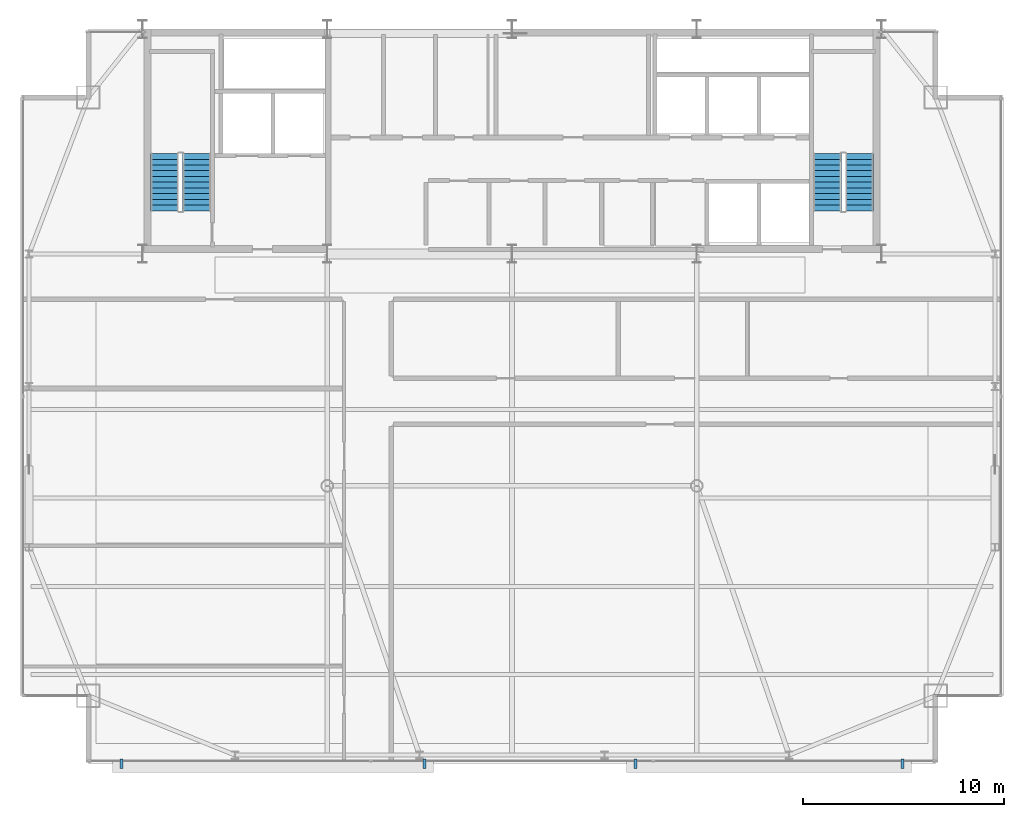
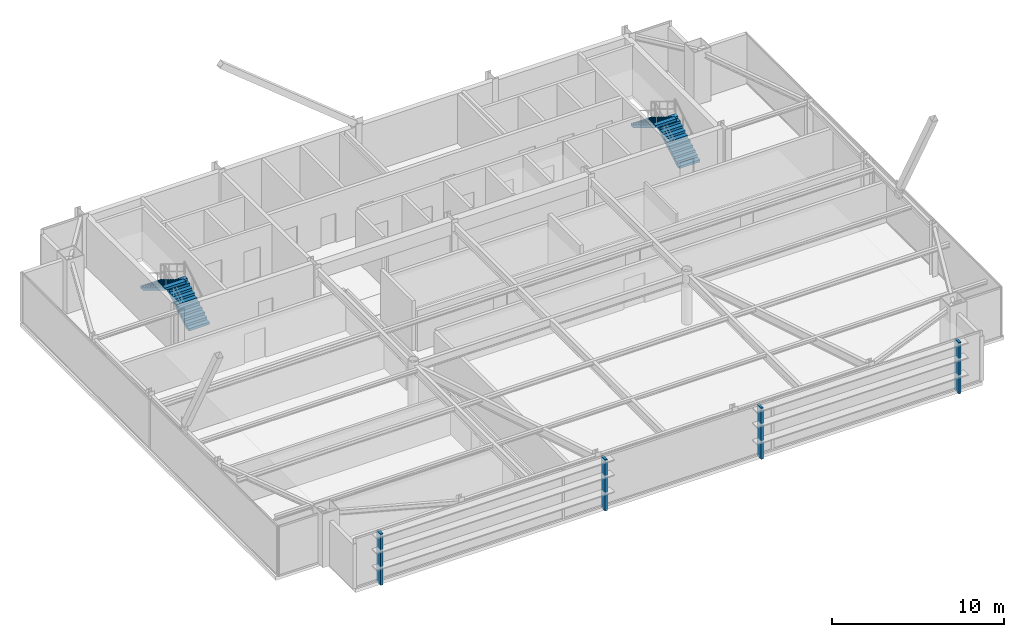
# One storey, part 25 of 26: 4 discrete accessories, 4 stair flights, 2 elements without a shape of their own.
"""IFC4 building model written with IfcOpenShell, lengths in metres."""

from ifc_helpers import new_model, si_unit, direction, frame, origin, origin_2d, place, context, subcontext, project, spatial, polyline, rectangle, outline, extrude, source, transform, mapped, material, layer, layer_set, type_object, type_shapes, element, aggregate, save


model = new_model("IFC4")

# Units and contexts
model_context = context("Model", 3, precision=1e-05, world=origin(), true_north=direction((0.0, 1.0)))
body_context = subcontext(model_context, "Body", "Model", "MODEL_VIEW")
ifc_project = project(units=[si_unit("LENGTHUNIT", "METRE"), si_unit("AREAUNIT", "SQUARE_METRE"), si_unit("VOLUMEUNIT", "CUBIC_METRE"), si_unit("PLANEANGLEUNIT", "RADIAN"), si_unit("MASSUNIT", "GRAM", prefix="KILO")], contexts=[model_context])

# Site, building, storey
site_placement = place(None, origin())
site = spatial("IfcSite", under=ifc_project, at=site_placement, CompositionType="ELEMENT")
building_placement = place(site_placement, origin())
building = spatial("IfcBuilding", under=site, at=building_placement, Name="Varnel Quay Broadcast Tower", CompositionType="ELEMENT")
storey_placement = place(building_placement, frame((0.0, 0.0, 218.800048828125)))
storey = spatial("IfcBuildingStorey", under=building, at=storey_placement, Name="L54", CompositionType="ELEMENT", Elevation=218.800048828125)

# Stair, stair flights
ifc_material_1 = material(Name="Precast Structural Concrete C40/50", Category="concrete")
stair_type_1 = type_object("IfcStairType", Name="Stair_ST-01", PredefinedType="HALF_TURN_STAIR", material=ifc_material_1)
stair_1_placement = place(storey_placement, origin())
stair_1 = element("IfcStair", 1, at=stair_1_placement, inside=storey, type_object=stair_type_1, Name="L54 West Core Exit Stair 1", PredefinedType="HALF_TURN_STAIR")
stair_flight_type_1 = type_object("IfcStairFlightType", Name="Flight_ST-01", PredefinedType="STRAIGHT", material=ifc_material_1)
stair_flight_1_placement = place(storey_placement, frame((18.300048828125, 37.75, 0.0), z_axis=(0.0, 0.0, 1.0), x_axis=(0.0, 1.0, 0.0)))
stair_flight_1 = element("IfcStairFlight", 2, at=stair_flight_1_placement, type_object=stair_flight_type_1, Name="ST-01 flight 1", NumberOfRisers=11, NumberOfTreads=10, PredefinedType="STRAIGHT", RiserHeight=0.172727273, TreadLength=0.285, context=body_context, shape_type="SweptSolid", body=[
    extrude(outline(polyline([(0.0, 0.0), (0.0, 0.172607421875), (0.284912109375, 0.172607421875), (0.284912109375, 0.345458984375), (0.570068359375, 0.345458984375), (0.570068359375, 0.51806640625), (0.85498046875, 0.51806640625), (0.85498046875, 0.69091796875), (1.139892578125, 0.69091796875), (1.139892578125, 0.863525390625), (1.425048828125, 0.863525390625), (1.425048828125, 1.036376953125), (1.7099609375, 1.036376953125), (1.7099609375, 1.208984375), (1.9951171875, 1.208984375), (1.9951171875, 1.3818359375), (2.280029296875, 1.3818359375), (2.280029296875, 1.554443359375), (2.56494140625, 1.554443359375), (2.56494140625, 1.727294921875), (2.85009765625, 1.727294921875), (2.85009765625, 1.89990234375), (2.85009765625, 1.552001953125), (0.289306640625, 0.0), (0.0, 0.0)])), frame((0.0, 0.699951171875, 0.0), z_axis=(0.0, -1.0, 0.0), x_axis=(1.0, 0.0, 0.0)), (0.0, 0.0, 1.0), 1.39990234375),
])
stair_flight_2_placement = place(storey_placement, frame((16.699951171875, 40.60009765625, 1.89990234375), z_axis=(0.0, 0.0, 1.0), x_axis=(0.0, -1.0, 0.0)))
stair_flight_2 = element("IfcStairFlight", 3, at=stair_flight_2_placement, type_object=stair_flight_type_1, Name="ST-01 flight 2", NumberOfRisers=11, NumberOfTreads=10, PredefinedType="STRAIGHT", RiserHeight=0.172727273, TreadLength=0.285, context=body_context, shape_type="SweptSolid", body=[
    extrude(outline(polyline([(0.0, 0.0), (0.0, 0.172607421875), (0.284912109375, 0.172607421875), (0.284912109375, 0.345458984375), (0.570068359375, 0.345458984375), (0.570068359375, 0.51806640625), (0.85498046875, 0.51806640625), (0.85498046875, 0.69091796875), (1.139892578125, 0.69091796875), (1.139892578125, 0.863525390625), (1.425048828125, 0.863525390625), (1.425048828125, 1.036376953125), (1.7099609375, 1.036376953125), (1.7099609375, 1.208984375), (1.9951171875, 1.208984375), (1.9951171875, 1.3818359375), (2.280029296875, 1.3818359375), (2.280029296875, 1.554443359375), (2.56494140625, 1.554443359375), (2.56494140625, 1.727294921875), (2.85009765625, 1.727294921875), (2.85009765625, 1.89990234375), (2.85009765625, 1.552001953125), (0.289306640625, 0.0), (0.0, 0.0)])), frame((0.0, 0.699951171875, 0.0), z_axis=(0.0, -1.0, 0.0), x_axis=(1.0, 0.0, 0.0)), (0.0, 0.0, 1.0), 1.39990234375),
])
aggregate(stair_1, [stair_flight_1, stair_flight_2])

stair_type_2 = type_object("IfcStairType", Name="Stair_ST-02", PredefinedType="HALF_TURN_STAIR", material=ifc_material_1)
stair_2_placement = place(storey_placement, origin())
stair_2 = element("IfcStair", 4, at=stair_2_placement, inside=storey, type_object=stair_type_2, Name="L54 East Core Exit Stair 2", PredefinedType="HALF_TURN_STAIR")
stair_flight_type_2 = type_object("IfcStairFlightType", Name="Flight_ST-02", PredefinedType="STRAIGHT", material=ifc_material_1)
stair_flight_3_placement = place(storey_placement, frame((51.300048828125, 37.75, 0.0), z_axis=(0.0, 0.0, 1.0), x_axis=(0.0, 1.0, 0.0)))
stair_flight_3 = element("IfcStairFlight", 5, at=stair_flight_3_placement, type_object=stair_flight_type_2, Name="ST-02 flight 1", NumberOfRisers=11, NumberOfTreads=10, PredefinedType="STRAIGHT", RiserHeight=0.172727273, TreadLength=0.285, context=body_context, shape_type="SweptSolid", body=[
    extrude(outline(polyline([(0.0, 0.0), (0.0, 0.172607421875), (0.284912109375, 0.172607421875), (0.284912109375, 0.345458984375), (0.570068359375, 0.345458984375), (0.570068359375, 0.51806640625), (0.85498046875, 0.51806640625), (0.85498046875, 0.69091796875), (1.139892578125, 0.69091796875), (1.139892578125, 0.863525390625), (1.425048828125, 0.863525390625), (1.425048828125, 1.036376953125), (1.7099609375, 1.036376953125), (1.7099609375, 1.208984375), (1.9951171875, 1.208984375), (1.9951171875, 1.3818359375), (2.280029296875, 1.3818359375), (2.280029296875, 1.554443359375), (2.56494140625, 1.554443359375), (2.56494140625, 1.727294921875), (2.85009765625, 1.727294921875), (2.85009765625, 1.89990234375), (2.85009765625, 1.552001953125), (0.289306640625, 0.0), (0.0, 0.0)])), frame((0.0, 0.699951171875, 0.0), z_axis=(0.0, -1.0, 0.0), x_axis=(1.0, 0.0, 0.0)), (0.0, 0.0, 1.0), 1.39990234375),
])
stair_flight_4_placement = place(storey_placement, frame((49.699951171875, 40.60009765625, 1.89990234375), z_axis=(0.0, 0.0, 1.0), x_axis=(0.0, -1.0, 0.0)))
stair_flight_4 = element("IfcStairFlight", 6, at=stair_flight_4_placement, type_object=stair_flight_type_2, Name="ST-02 flight 2", NumberOfRisers=11, NumberOfTreads=10, PredefinedType="STRAIGHT", RiserHeight=0.172727273, TreadLength=0.285, context=body_context, shape_type="SweptSolid", body=[
    extrude(outline(polyline([(0.0, 0.0), (0.0, 0.172607421875), (0.284912109375, 0.172607421875), (0.284912109375, 0.345458984375), (0.570068359375, 0.345458984375), (0.570068359375, 0.51806640625), (0.85498046875, 0.51806640625), (0.85498046875, 0.69091796875), (1.139892578125, 0.69091796875), (1.139892578125, 0.863525390625), (1.425048828125, 0.863525390625), (1.425048828125, 1.036376953125), (1.7099609375, 1.036376953125), (1.7099609375, 1.208984375), (1.9951171875, 1.208984375), (1.9951171875, 1.3818359375), (2.280029296875, 1.3818359375), (2.280029296875, 1.554443359375), (2.56494140625, 1.554443359375), (2.56494140625, 1.727294921875), (2.85009765625, 1.727294921875), (2.85009765625, 1.89990234375), (2.85009765625, 1.552001953125), (0.289306640625, 0.0), (0.0, 0.0)])), frame((0.0, 0.699951171875, 0.0), z_axis=(0.0, -1.0, 0.0), x_axis=(1.0, 0.0, 0.0)), (0.0, 0.0, 1.0), 1.39990234375),
])
aggregate(stair_2, [stair_flight_3, stair_flight_4])

# Discrete accessories
ifc_material_2 = material(Name="Anodised Bronze Aluminium 6063-T6", Category="aluminium")
ifc_layer = layer(ifc_material_2, 0.47998046875, Name="Anodised Bronze Aluminium 6063-T6")
ifc_layer_set = layer_set([ifc_layer], Name="Anodised Bronze Aluminium 6063-T6")
discrete_accessory_type = type_object("IfcDiscreteAccessoryType", Name="Acc_FacadeBracket", PredefinedType="BRACKET", material=ifc_layer_set)
shared_shape = source(origin(), body_context, "Body", "SweptSolid", [
    extrude(rectangle(XDim=0.159912109375, YDim=0.47998046875, at=origin_2d()), origin(), (0.0, 0.0, 1.0), 3.64990234375),
])
type_shapes(discrete_accessory_type, [shared_shape])
for number, where, z_axis, x_axis, name in (
    (7, (14.550048828125, 10.219970703125, -0.14990234375), (0.0, 0.0, 1.0), (1.0, 0.0, 0.0), "L54 Lobe 1 Louvre Support Bracket 1"),
    (8, (29.64501953125, 10.219970703125, -0.14990234375), (0.0, 0.0, 1.0), (1.0, 0.0, 0.0), "L54 Lobe 1 Louvre Support Bracket 2"),
    (9, (40.14501953125, 10.219970703125, -0.14990234375), (0.0, 0.0, 1.0), (1.0, 0.0, 0.0), "L54 Lobe 2 Louvre Support Bracket 1"),
    (10, (53.449951171875, 10.219970703125, -0.14990234375), (0.0, 0.0, 1.0), (1.0, 0.0, 0.0), "L54 Lobe 2 Louvre Support Bracket 2"),
):
    element("IfcDiscreteAccessory", number, at=place(storey_placement, frame(where, z_axis=z_axis, x_axis=x_axis)), inside=storey, type_object=discrete_accessory_type, Name=name, PredefinedType="BRACKET", context=body_context, shape_type="MappedRepresentation", body=[
        mapped(shared_shape, transform((0.0, 0.0, 0.0), x_axis=(1.0, 0.0, 0.0), y_axis=(0.0, 1.0, 0.0), z_axis=(0.0, 0.0, 1.0), scale=1.0)),
    ])

save(model, "model.ifc")
